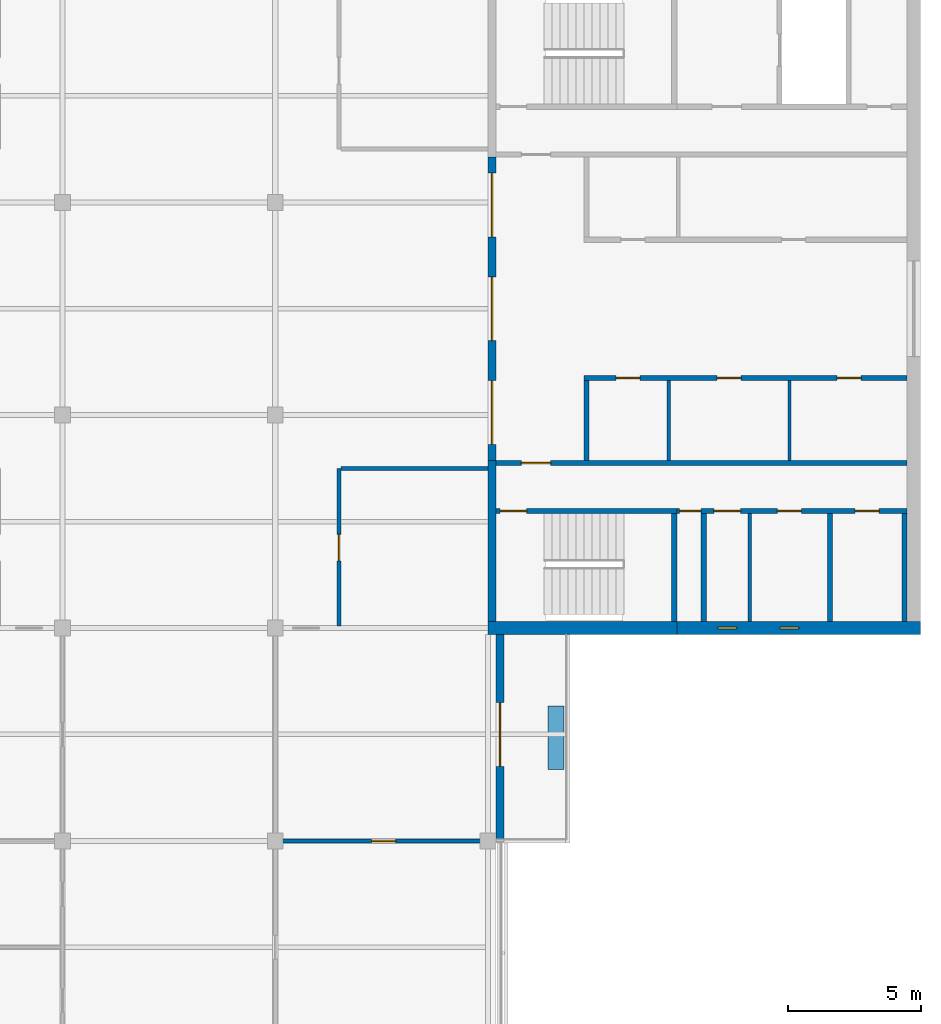
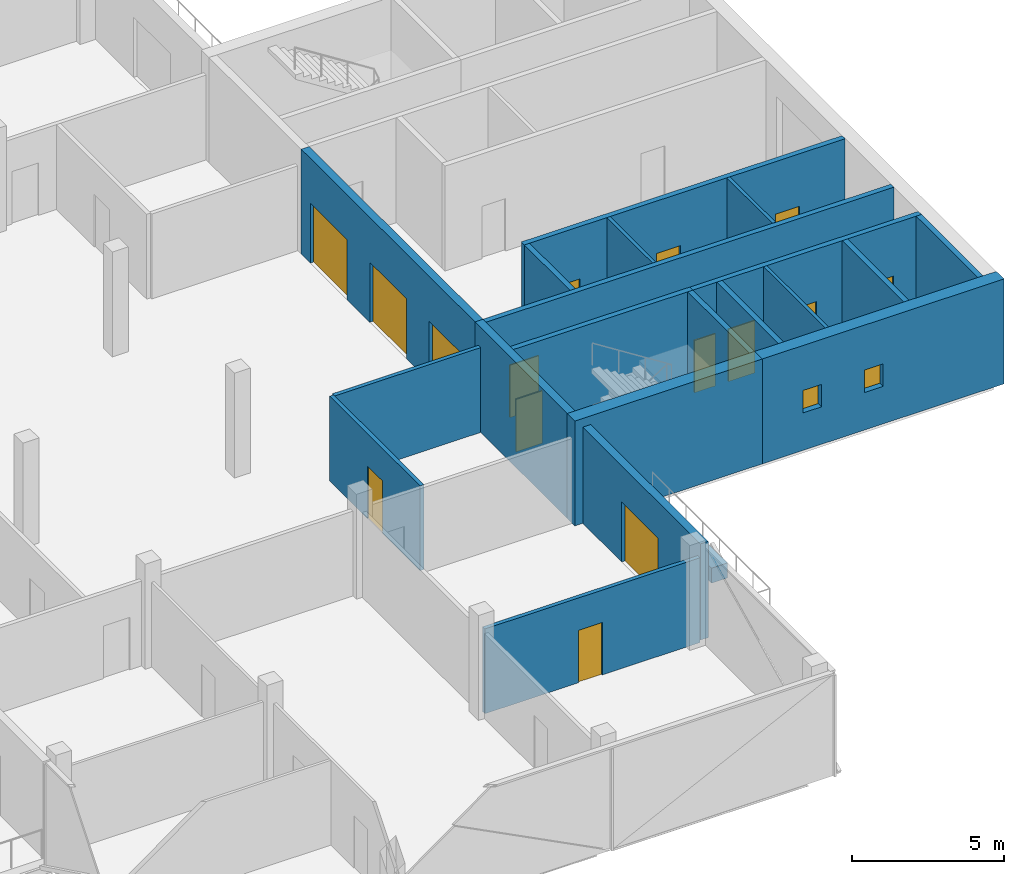
# One storey, part 6 of 11: 21 walls, 15 doors, 2 windows, 17 openings.
"""IFC4 building model written with IfcOpenShell, lengths in metres."""

from ifc_helpers import new_model, si_unit, direction, frame, frame_2d, origin, place, context, subcontext, project, spatial, rectangle, extrude, material, layer, layer_set, constituent, constituent_set, type_object, element, fill, save


model = new_model("IFC4")

# Units and contexts
model_context = context("Model", 3, precision=1e-05, world=origin(), true_north=direction((0.0, 1.0)))
body_context = subcontext(model_context, "Body", "Model", "MODEL_VIEW")
ifc_project = project(units=[si_unit("LENGTHUNIT", "METRE"), si_unit("AREAUNIT", "SQUARE_METRE"), si_unit("VOLUMEUNIT", "CUBIC_METRE"), si_unit("PLANEANGLEUNIT", "RADIAN"), si_unit("MASSUNIT", "GRAM", prefix="KILO")], contexts=[model_context])

# Site, building, storey
site_placement = place(None, origin())
site = spatial("IfcSite", under=ifc_project, at=site_placement, CompositionType="ELEMENT")
building_placement = place(site_placement, origin())
building = spatial("IfcBuilding", under=site, at=building_placement, Name="Crosswind Convention Tower", CompositionType="ELEMENT")
storey_placement = place(building_placement, frame((0.0, 0.0, 344.89990234375)))
storey = spatial("IfcBuildingStorey", under=building, at=storey_placement, Name="L75", CompositionType="ELEMENT", Elevation=344.89990234375)

# Wall
ifc_material_1 = material(Name="Concrete blockwork", Category="masonry")
ifc_layer_1 = layer(ifc_material_1, 0.199951171875)
ifc_layer_set_1 = layer_set([ifc_layer_1], Name="Blockwork partition wall 200")
wall_type_1 = type_object("IfcWallType", Name="Blockwork partition wall 200", PredefinedType="PARTITIONING", material=ifc_layer_set_1)
wall_1_placement = place(storey_placement, frame((145.10009765625, 88.25, 0.0), z_axis=(0.0, 0.0, 1.0), x_axis=(0.0, 1.0, 0.0)))
element("IfcWall", 1, at=wall_1_placement, inside=storey, type_object=wall_type_1, Name="Wall MRSE E L75", PredefinedType="PARTITIONING", context=body_context, shape_type="SweptSolid", body=[
    extrude(rectangle(XDim=4.050048828125, YDim=0.199951171875, at=frame_2d((2.02490234375, 0.0))), origin(), (0.0, 0.0, 1.0), 4.2001953125),
])

# Wall, openings, doors
ifc_material_2 = material(Name="Concrete C50/60", Category="concrete")
ifc_layer_2 = layer(ifc_material_2, 0.300048828125)
ifc_layer_set_2 = layer_set([ifc_layer_2], Name="Concrete C50/60")
wall_type_2 = type_object("IfcWallType", Name="Concrete inner core wall 300", PredefinedType="SHEAR", material=ifc_layer_set_2)
wall_2_placement = place(storey_placement, frame((137.14990234375, 94.300048828125, 0.0), z_axis=(0.0, 0.0, 1.0), x_axis=(0.0, 1.0, 0.0)))
wall_2 = element("IfcWall", 2, at=wall_2_placement, inside=storey, type_object=wall_type_2, Name="Wall SCR E L75", PredefinedType="SHEAR", context=body_context, shape_type="SweptSolid", body=[
    extrude(rectangle(XDim=11.39990234375, YDim=0.300048828125, at=frame_2d((5.699951171875, 0.0))), origin(), (0.0, 0.0, 1.0), 4.2001953125),
])
opening_1_placement = place(wall_2_placement, frame((0.60009765625, 0.0, 0.0)))
opening_1 = element("IfcOpeningElement", 3, at=opening_1_placement, cuts=wall_2, Name="Opening D100", PredefinedType="OPENING", context=body_context, shape_type="SweptSolid", body=[
    extrude(rectangle(XDim=2.39990234375, YDim=2.39990234375, at=frame_2d((1.199951171875, 1.199951171875))), frame((0.0, 0.159912109375, 0.0), z_axis=(0.0, -1.0, 0.0), x_axis=(1.0, 0.0, 0.0)), (0.0, 0.0, 1.0), 0.320068359375),
])
opening_2_placement = place(wall_2_placement, frame((4.5, 0.0, 0.0)))
opening_2 = element("IfcOpeningElement", 4, at=opening_2_placement, cuts=wall_2, Name="Opening D100", PredefinedType="OPENING", context=body_context, shape_type="SweptSolid", body=[
    extrude(rectangle(XDim=2.39990234375, YDim=2.39990234375, at=frame_2d((1.199951171875, 1.199951171875))), frame((0.0, 0.159912109375, 0.0), z_axis=(0.0, -1.0, 0.0), x_axis=(1.0, 0.0, 0.0)), (0.0, 0.0, 1.0), 0.320068359375),
])
opening_3_placement = place(wall_2_placement, frame((8.39990234375, 0.0, 0.0)))
opening_3 = element("IfcOpeningElement", 5, at=opening_3_placement, cuts=wall_2, Name="Opening D100", PredefinedType="OPENING", context=body_context, shape_type="SweptSolid", body=[
    extrude(rectangle(XDim=2.39990234375, YDim=2.39990234375, at=frame_2d((1.199951171875, 1.199951171875))), frame((0.0, 0.159912109375, 0.0), z_axis=(0.0, -1.0, 0.0), x_axis=(1.0, 0.0, 0.0)), (0.0, 0.0, 1.0), 0.320068359375),
])
ifc_material_3 = material(Name="Steel fire door with glazed vision panels", Category="steel")
door_type_1 = type_object("IfcDoorType", Name="Fire-rated double door 2400x2400", OperationType="DOUBLE_DOOR_SINGLE_SWING", PredefinedType="DOOR", material=ifc_material_3)
door_1_placement = place(opening_1_placement, origin())
door_1 = element("IfcDoor", 6, at=door_1_placement, inside=storey, type_object=door_type_1, Name="Lobby door 1 L75", ObjectType="D100", OperationType="DOUBLE_DOOR_SINGLE_SWING", OverallHeight=2.39990234375, OverallWidth=2.39990234375, PredefinedType="DOOR", context=body_context, shape_type="SweptSolid", body=[
    extrude(rectangle(XDim=2.39990234375, YDim=2.39990234375, at=frame_2d((1.199951171875, 1.199951171875))), frame((0.0, 0.02490234375, 0.0), z_axis=(0.0, -1.0, 0.0), x_axis=(1.0, 0.0, 0.0)), (0.0, 0.0, 1.0), 0.050048828125),
])
fill(opening_1, door_1)
door_2_placement = place(opening_2_placement, origin())
door_2 = element("IfcDoor", 7, at=door_2_placement, inside=storey, type_object=door_type_1, Name="Lobby door 2 L75", ObjectType="D100", OperationType="DOUBLE_DOOR_SINGLE_SWING", OverallHeight=2.39990234375, OverallWidth=2.39990234375, PredefinedType="DOOR", context=body_context, shape_type="SweptSolid", body=[
    extrude(rectangle(XDim=2.39990234375, YDim=2.39990234375, at=frame_2d((1.199951171875, 1.199951171875))), frame((0.0, 0.02490234375, 0.0), z_axis=(0.0, -1.0, 0.0), x_axis=(1.0, 0.0, 0.0)), (0.0, 0.0, 1.0), 0.050048828125),
])
fill(opening_2, door_2)
door_3_placement = place(opening_3_placement, origin())
door_3 = element("IfcDoor", 8, at=door_3_placement, inside=storey, type_object=door_type_1, Name="Lobby door 3 L75", ObjectType="D100", OperationType="DOUBLE_DOOR_SINGLE_SWING", OverallHeight=2.39990234375, OverallWidth=2.39990234375, PredefinedType="DOOR", context=body_context, shape_type="SweptSolid", body=[
    extrude(rectangle(XDim=2.39990234375, YDim=2.39990234375, at=frame_2d((1.199951171875, 1.199951171875))), frame((0.0, 0.02490234375, 0.0), z_axis=(0.0, -1.0, 0.0), x_axis=(1.0, 0.0, 0.0)), (0.0, 0.0, 1.0), 0.050048828125),
])
fill(opening_3, door_3)

# Walls
wall_3_placement = place(storey_placement, frame((137.14990234375, 88.25, 0.0), z_axis=(0.0, 0.0, 1.0), x_axis=(0.0, 1.0, 0.0)))
element("IfcWall", 9, at=wall_3_placement, inside=storey, type_object=wall_type_2, Name="Wall EM E L75", PredefinedType="SHEAR", context=body_context, shape_type="SweptSolid", body=[
    extrude(rectangle(XDim=6.050048828125, YDim=0.300048828125, at=frame_2d((3.02490234375, 0.0))), origin(), (0.0, 0.0, 1.0), 4.2001953125),
])
ifc_layer_3 = layer(ifc_material_2, 0.199951171875)
ifc_layer_set_3 = layer_set([ifc_layer_3], Name="Concrete C50/60")
wall_type_3 = type_object("IfcWallType", Name="Concrete shaft and stair wall 200", PredefinedType="SHEAR", material=ifc_layer_set_3)
wall_4_placement = place(storey_placement, frame((140.699951171875, 94.300048828125, 0.0), z_axis=(0.0, 0.0, 1.0), x_axis=(0.0, 1.0, 0.0)))
element("IfcWall", 10, at=wall_4_placement, inside=storey, type_object=wall_type_3, Name="Wall RMEND E L75", PredefinedType="SHEAR", context=body_context, shape_type="SweptSolid", body=[
    extrude(rectangle(XDim=3.0, YDim=0.199951171875, at=frame_2d((1.5, 0.0))), origin(), (0.0, 0.0, 1.0), 4.2001953125),
])

# Wall, openings, doors
wall_5_placement = place(storey_placement, frame((140.60009765625, 97.39990234375, 0.0), z_axis=(0.0, 0.0, 1.0), x_axis=(1.0, 0.0, 0.0)))
wall_5 = element("IfcWall", 11, at=wall_5_placement, inside=storey, type_object=wall_type_3, Name="Wall RMFRONT E L75", PredefinedType="SHEAR", context=body_context, shape_type="SweptSolid", body=[
    extrude(rectangle(XDim=12.14990234375, YDim=0.199951171875, at=frame_2d((6.074951171875, 0.0))), origin(), (0.0, 0.0, 1.0), 4.2001953125),
])
opening_4_placement = place(wall_5_placement, frame((1.21240234375, 0.0, 0.0)))
opening_4 = element("IfcOpeningElement", 12, at=opening_4_placement, cuts=wall_5, Name="Opening D106", PredefinedType="OPENING", context=body_context, shape_type="SweptSolid", body=[
    extrude(rectangle(XDim=0.89990234375, YDim=2.10009765625, at=frame_2d((0.449951171875, 1.050048828125))), frame((0.0, 0.10986328125, 0.0), z_axis=(0.0, -1.0, 0.0), x_axis=(1.0, 0.0, 0.0)), (0.0, 0.0, 1.0), 0.219970703125),
])
opening_5_placement = place(wall_5_placement, frame((5.008056640625, 0.0, 0.0)))
opening_5 = element("IfcOpeningElement", 13, at=opening_5_placement, cuts=wall_5, Name="Opening D106", PredefinedType="OPENING", context=body_context, shape_type="SweptSolid", body=[
    extrude(rectangle(XDim=0.89990234375, YDim=2.10009765625, at=frame_2d((0.449951171875, 1.050048828125))), frame((0.0, 0.10986328125, 0.0), z_axis=(0.0, -1.0, 0.0), x_axis=(1.0, 0.0, 0.0)), (0.0, 0.0, 1.0), 0.219970703125),
])
opening_6_placement = place(wall_5_placement, frame((9.5205078125, 0.0, 0.0)))
opening_6 = element("IfcOpeningElement", 14, at=opening_6_placement, cuts=wall_5, Name="Opening D106", PredefinedType="OPENING", context=body_context, shape_type="SweptSolid", body=[
    extrude(rectangle(XDim=0.89990234375, YDim=2.10009765625, at=frame_2d((0.449951171875, 1.050048828125))), frame((0.0, 0.10986328125, 0.0), z_axis=(0.0, -1.0, 0.0), x_axis=(1.0, 0.0, 0.0)), (0.0, 0.0, 1.0), 0.219970703125),
])
ifc_material_4 = material(Name="Timber door", Category="wood")
door_type_2 = type_object("IfcDoorType", Name="Single leaf door 900x2100", OperationType="NOTDEFINED", PredefinedType="DOOR", material=ifc_material_4)
door_4_placement = place(opening_4_placement, frame((0.89990234375, 0.0, 0.0), z_axis=(0.0, 0.0, 1.0), x_axis=(-1.0, 0.0, 0.0)))
door_4 = element("IfcDoor", 15, at=door_4_placement, inside=storey, type_object=door_type_2, Name="Door to meeting room L75", ObjectType="D106", OperationType="SINGLE_SWING_LEFT", OverallHeight=2.10009765625, OverallWidth=0.89990234375, PredefinedType="DOOR", context=body_context, shape_type="SweptSolid", body=[
    extrude(rectangle(XDim=0.89990234375, YDim=2.10009765625, at=frame_2d((0.449951171875, 1.050048828125))), frame((0.0, 0.02490234375, 0.0), z_axis=(0.0, -1.0, 0.0), x_axis=(1.0, 0.0, 0.0)), (0.0, 0.0, 1.0), 0.050048828125),
])
fill(opening_4, door_4)
door_5_placement = place(opening_5_placement, frame((0.89990234375, 0.0, 0.0), z_axis=(0.0, 0.0, 1.0), x_axis=(-1.0, 0.0, 0.0)))
door_5 = element("IfcDoor", 16, at=door_5_placement, inside=storey, type_object=door_type_2, Name="Door to cloakroom L75", ObjectType="D106", OperationType="SINGLE_SWING_LEFT", OverallHeight=2.10009765625, OverallWidth=0.89990234375, PredefinedType="DOOR", context=body_context, shape_type="SweptSolid", body=[
    extrude(rectangle(XDim=0.89990234375, YDim=2.10009765625, at=frame_2d((0.449951171875, 1.050048828125))), frame((0.0, 0.02490234375, 0.0), z_axis=(0.0, -1.0, 0.0), x_axis=(1.0, 0.0, 0.0)), (0.0, 0.0, 1.0), 0.050048828125),
])
fill(opening_5, door_5)
door_6_placement = place(opening_6_placement, frame((0.89990234375, 0.0, 0.0), z_axis=(0.0, 0.0, 1.0), x_axis=(-1.0, 0.0, 0.0)))
door_6 = element("IfcDoor", 17, at=door_6_placement, inside=storey, type_object=door_type_2, Name="Door to storeroom L75", ObjectType="D106", OperationType="SINGLE_SWING_LEFT", OverallHeight=2.10009765625, OverallWidth=0.89990234375, PredefinedType="DOOR", context=body_context, shape_type="SweptSolid", body=[
    extrude(rectangle(XDim=0.89990234375, YDim=2.10009765625, at=frame_2d((0.449951171875, 1.050048828125))), frame((0.0, 0.02490234375, 0.0), z_axis=(0.0, -1.0, 0.0), x_axis=(1.0, 0.0, 0.0)), (0.0, 0.0, 1.0), 0.050048828125),
])
fill(opening_6, door_6)

# Wall, opening, door
wall_6_placement = place(storey_placement, frame((137.300048828125, 94.199951171875, 0.0), z_axis=(0.0, 0.0, 1.0), x_axis=(1.0, 0.0, 0.0)))
wall_6 = element("IfcWall", 18, at=wall_6_placement, inside=storey, type_object=wall_type_3, Name="Wall HM E L75", PredefinedType="SHEAR", context=body_context, shape_type="SweptSolid", body=[
    extrude(rectangle(XDim=15.449951171875, YDim=0.199951171875, at=frame_2d((7.72509765625, 0.0))), origin(), (0.0, 0.0, 1.0), 4.2001953125),
])
opening_7_placement = place(wall_6_placement, frame((0.949951171875, 0.0, 0.0)))
opening_7 = element("IfcOpeningElement", 19, at=opening_7_placement, cuts=wall_6, Name="Opening D104", PredefinedType="OPENING", context=body_context, shape_type="SweptSolid", body=[
    extrude(rectangle(XDim=1.10009765625, YDim=2.10009765625, at=frame_2d((0.550048828125, 1.050048828125))), frame((0.0, 0.10986328125, 0.0), z_axis=(0.0, -1.0, 0.0), x_axis=(1.0, 0.0, 0.0)), (0.0, 0.0, 1.0), 0.219970703125),
])
ifc_material_5 = material(Name="Steel fire door", Category="steel")
door_type_3 = type_object("IfcDoorType", Name="Fire-rated single door 1100x2100", OperationType="NOTDEFINED", PredefinedType="DOOR", material=ifc_material_5)
door_7_placement = place(opening_7_placement, origin())
door_7 = element("IfcDoor", 20, at=door_7_placement, inside=storey, type_object=door_type_3, Name="Corridor door L75", ObjectType="D104", OperationType="SINGLE_SWING_LEFT", OverallHeight=2.10009765625, OverallWidth=1.10009765625, PredefinedType="DOOR", context=body_context, shape_type="SweptSolid", body=[
    extrude(rectangle(XDim=1.10009765625, YDim=2.10009765625, at=frame_2d((0.550048828125, 1.050048828125))), frame((0.0, 0.02490234375, 0.0), z_axis=(0.0, -1.0, 0.0), x_axis=(1.0, 0.0, 0.0)), (0.0, 0.0, 1.0), 0.050048828125),
])
fill(opening_7, door_7)

# Walls
for number, where, z_axis, x_axis, name in (
    (21, (144.0, 88.25, 0.0), (0.0, 0.0, 1.0), (0.0, 1.0, 0.0), "Wall MSE E L75"),
    (22, (149.85009765625, 88.25, 0.0), (0.0, 0.0, 1.0), (0.0, 1.0, 0.0), "Wall MFSW E L75"),
    (23, (152.64990234375, 88.25, 0.0), (0.0, 0.0, 1.0), (0.0, 1.0, 0.0), "Wall MFSE E L75"),
):
    element("IfcWall", number, at=place(storey_placement, frame(where, z_axis=z_axis, x_axis=x_axis)), inside=storey, type_object=wall_type_3, Name=name, PredefinedType="SHEAR", context=body_context, shape_type="SweptSolid", body=[
        extrude(rectangle(XDim=4.050048828125, YDim=0.199951171875, at=frame_2d((2.02490234375, 0.0))), origin(), (0.0, 0.0, 1.0), 4.2001953125),
    ])

# Wall, opening, door
wall_7_placement = place(storey_placement, frame((137.300048828125, 92.39990234375, 0.0), z_axis=(0.0, 0.0, 1.0), x_axis=(1.0, 0.0, 0.0)))
wall_7 = element("IfcWall", 24, at=wall_7_placement, inside=storey, type_object=wall_type_3, Name="Wall MCW E L75", PredefinedType="SHEAR", context=body_context, shape_type="SweptSolid", body=[
    extrude(rectangle(XDim=6.800048828125, YDim=0.199951171875, at=frame_2d((3.39990234375, 0.0))), origin(), (0.0, 0.0, 1.0), 4.2001953125),
])
opening_8_placement = place(wall_7_placement, frame((0.14990234375, 0.0, 0.0)))
opening_8 = element("IfcOpeningElement", 25, at=opening_8_placement, cuts=wall_7, Name="Opening D103", PredefinedType="OPENING", context=body_context, shape_type="SweptSolid", body=[
    extrude(rectangle(XDim=1.0, YDim=2.10009765625, at=frame_2d((0.5, 1.050048828125))), frame((0.0, 0.10986328125, 0.0), z_axis=(0.0, -1.0, 0.0), x_axis=(1.0, 0.0, 0.0)), (0.0, 0.0, 1.0), 0.219970703125),
])
door_type_4 = type_object("IfcDoorType", Name="Fire-rated single door 1000x2100", OperationType="NOTDEFINED", PredefinedType="DOOR", material=ifc_material_5)
door_8_placement = place(opening_8_placement, frame((1.0, 0.0, 0.0), z_axis=(0.0, 0.0, 1.0), x_axis=(-1.0, 0.0, 0.0)))
door_8 = element("IfcDoor", 26, at=door_8_placement, inside=storey, type_object=door_type_4, Name="Stair ST2 door L75", ObjectType="D103", OperationType="SINGLE_SWING_RIGHT", OverallHeight=2.10009765625, OverallWidth=1.0, PredefinedType="DOOR", context=body_context, shape_type="SweptSolid", body=[
    extrude(rectangle(XDim=1.0, YDim=2.10009765625, at=frame_2d((0.5, 1.050048828125))), frame((0.0, 0.02490234375, 0.0), z_axis=(0.0, -1.0, 0.0), x_axis=(1.0, 0.0, 0.0)), (0.0, 0.0, 1.0), 0.050048828125),
])
fill(opening_8, door_8)

# Wall, openings, doors
wall_8_placement = place(storey_placement, frame((144.10009765625, 92.39990234375, 0.0), z_axis=(0.0, 0.0, 1.0), x_axis=(1.0, 0.0, 0.0)))
wall_8 = element("IfcWall", 27, at=wall_8_placement, inside=storey, type_object=wall_type_3, Name="Wall MCX E L75", PredefinedType="SHEAR", context=body_context, shape_type="SweptSolid", body=[
    extrude(rectangle(XDim=8.64990234375, YDim=0.199951171875, at=frame_2d((4.324951171875, 0.0))), origin(), (0.0, 0.0, 1.0), 4.2001953125),
])
opening_9_placement = place(wall_8_placement, frame((0.10009765625, 0.0, 0.0)))
opening_9 = element("IfcOpeningElement", 28, at=opening_9_placement, cuts=wall_8, Name="Opening D105", PredefinedType="OPENING", context=body_context, shape_type="SweptSolid", body=[
    extrude(rectangle(XDim=0.800048828125, YDim=2.10009765625, at=frame_2d((0.39990234375, 1.050048828125))), frame((0.0, 0.10986328125, 0.0), z_axis=(0.0, -1.0, 0.0), x_axis=(1.0, 0.0, 0.0)), (0.0, 0.0, 1.0), 0.219970703125),
])
opening_10_placement = place(wall_8_placement, frame((1.3876953125, 0.0, 0.0)))
opening_10 = element("IfcOpeningElement", 29, at=opening_10_placement, cuts=wall_8, Name="Opening D103", PredefinedType="OPENING", context=body_context, shape_type="SweptSolid", body=[
    extrude(rectangle(XDim=1.0, YDim=2.10009765625, at=frame_2d((0.5, 1.050048828125))), frame((0.0, 0.10986328125, 0.0), z_axis=(0.0, -1.0, 0.0), x_axis=(1.0, 0.0, 0.0)), (0.0, 0.0, 1.0), 0.219970703125),
])
opening_11_placement = place(wall_8_placement, frame((3.775146484375, 0.0, 0.0)))
opening_11 = element("IfcOpeningElement", 30, at=opening_11_placement, cuts=wall_8, Name="Opening D106", PredefinedType="OPENING", context=body_context, shape_type="SweptSolid", body=[
    extrude(rectangle(XDim=0.89990234375, YDim=2.10009765625, at=frame_2d((0.449951171875, 1.050048828125))), frame((0.0, 0.10986328125, 0.0), z_axis=(0.0, -1.0, 0.0), x_axis=(1.0, 0.0, 0.0)), (0.0, 0.0, 1.0), 0.219970703125),
])
opening_12_placement = place(wall_8_placement, frame((6.699951171875, 0.0, 0.0)))
opening_12 = element("IfcOpeningElement", 31, at=opening_12_placement, cuts=wall_8, Name="Opening D106", PredefinedType="OPENING", context=body_context, shape_type="SweptSolid", body=[
    extrude(rectangle(XDim=0.89990234375, YDim=2.10009765625, at=frame_2d((0.449951171875, 1.050048828125))), frame((0.0, 0.10986328125, 0.0), z_axis=(0.0, -1.0, 0.0), x_axis=(1.0, 0.0, 0.0)), (0.0, 0.0, 1.0), 0.219970703125),
])
door_9_placement = place(opening_10_placement, frame((1.0, 0.0, 0.0), z_axis=(0.0, 0.0, 1.0), x_axis=(-1.0, 0.0, 0.0)))
door_9 = element("IfcDoor", 32, at=door_9_placement, inside=storey, type_object=door_type_4, Name="Door to accessible wc L75", ObjectType="D103", OperationType="SINGLE_SWING_LEFT", OverallHeight=2.10009765625, OverallWidth=1.0, PredefinedType="DOOR", context=body_context, shape_type="SweptSolid", body=[
    extrude(rectangle(XDim=1.0, YDim=2.10009765625, at=frame_2d((0.5, 1.050048828125))), frame((0.0, 0.02490234375, 0.0), z_axis=(0.0, -1.0, 0.0), x_axis=(1.0, 0.0, 0.0)), (0.0, 0.0, 1.0), 0.050048828125),
])
fill(opening_10, door_9)
door_type_5 = type_object("IfcDoorType", Name="Riser access door 800x2100", OperationType="NOTDEFINED", PredefinedType="DOOR", material=ifc_material_5)
door_10_placement = place(opening_9_placement, frame((0.800048828125, 0.0, 0.0), z_axis=(0.0, 0.0, 1.0), x_axis=(-1.0, 0.0, 0.0)))
door_10 = element("IfcDoor", 33, at=door_10_placement, inside=storey, type_object=door_type_5, Name="Riser door L75", ObjectType="D105", OperationType="SINGLE_SWING_LEFT", OverallHeight=2.10009765625, OverallWidth=0.800048828125, PredefinedType="DOOR", context=body_context, shape_type="SweptSolid", body=[
    extrude(rectangle(XDim=0.800048828125, YDim=2.10009765625, at=frame_2d((0.39990234375, 1.050048828125))), frame((0.0, 0.02490234375, 0.0), z_axis=(0.0, -1.0, 0.0), x_axis=(1.0, 0.0, 0.0)), (0.0, 0.0, 1.0), 0.050048828125),
])
fill(opening_9, door_10)
door_11_placement = place(opening_11_placement, frame((0.89990234375, 0.0, 0.0), z_axis=(0.0, 0.0, 1.0), x_axis=(-1.0, 0.0, 0.0)))
door_11 = element("IfcDoor", 34, at=door_11_placement, inside=storey, type_object=door_type_2, Name="Door to wc L75", ObjectType="D106", OperationType="SINGLE_SWING_LEFT", OverallHeight=2.10009765625, OverallWidth=0.89990234375, PredefinedType="DOOR", context=body_context, shape_type="SweptSolid", body=[
    extrude(rectangle(XDim=0.89990234375, YDim=2.10009765625, at=frame_2d((0.449951171875, 1.050048828125))), frame((0.0, 0.02490234375, 0.0), z_axis=(0.0, -1.0, 0.0), x_axis=(1.0, 0.0, 0.0)), (0.0, 0.0, 1.0), 0.050048828125),
])
fill(opening_11, door_11)
door_12_placement = place(opening_12_placement, frame((0.89990234375, 0.0, 0.0), z_axis=(0.0, 0.0, 1.0), x_axis=(-1.0, 0.0, 0.0)))
door_12 = element("IfcDoor", 35, at=door_12_placement, inside=storey, type_object=door_type_2, Name="Door to wc L75", ObjectType="D106", OperationType="SINGLE_SWING_LEFT", OverallHeight=2.10009765625, OverallWidth=0.89990234375, PredefinedType="DOOR", context=body_context, shape_type="SweptSolid", body=[
    extrude(rectangle(XDim=0.89990234375, YDim=2.10009765625, at=frame_2d((0.449951171875, 1.050048828125))), frame((0.0, 0.02490234375, 0.0), z_axis=(0.0, -1.0, 0.0), x_axis=(1.0, 0.0, 0.0)), (0.0, 0.0, 1.0), 0.050048828125),
])
fill(opening_12, door_12)

# Walls
ifc_material_6 = material(Name="Gypsum plasterboard partition", Category="gypsum")
ifc_layer_4 = layer(ifc_material_6, 0.125)
ifc_layer_set_4 = layer_set([ifc_layer_4], Name="Drywall partition wall 125")
wall_type_4 = type_object("IfcWallType", Name="Drywall partition wall 125", PredefinedType="PARTITIONING", material=ifc_layer_set_4)
for number, where, z_axis, x_axis, name in (
    (36, (143.78759765625, 94.300048828125, 0.0), (0.0, 0.0, 1.0), (0.0, 1.0, 0.0), "Wall RMP1 E L75"),
    (37, (148.32861328125, 94.300048828125, 0.0), (0.0, 0.0, 1.0), (0.0, 1.0, 0.0), "Wall RMP2 E L75"),
):
    element("IfcWall", number, at=place(storey_placement, frame(where, z_axis=z_axis, x_axis=x_axis)), inside=storey, type_object=wall_type_4, Name=name, PredefinedType="PARTITIONING", context=body_context, shape_type="SweptSolid", body=[
        extrude(rectangle(XDim=3.0, YDim=0.125, at=frame_2d((1.5, 0.0))), origin(), (0.0, 0.0, 1.0), 4.2001953125),
    ])
wall_9_placement = place(storey_placement, frame((146.837890625, 88.25, 0.0), z_axis=(0.0, 0.0, 1.0), x_axis=(0.0, 1.0, 0.0)))
element("IfcWall", 38, at=wall_9_placement, inside=storey, type_object=wall_type_4, Name="Wall MWP1 E L75", PredefinedType="PARTITIONING", context=body_context, shape_type="SweptSolid", body=[
    extrude(rectangle(XDim=4.050048828125, YDim=0.125, at=frame_2d((2.02490234375, 0.0))), origin(), (0.0, 0.0, 1.0), 4.2001953125),
])
ifc_material_7 = material(Name="Concrete C30/37", Category="concrete")
ifc_layer_5 = layer(ifc_material_7, 0.60009765625)
ifc_layer_set_5 = layer_set([ifc_layer_5], Name="Concrete C30/37")
wall_type_5 = type_object("IfcWallType", Name="PLANTER BOX WALL 600", PredefinedType="SOLIDWALL", material=ifc_layer_set_5)
wall_10_placement = place(storey_placement, frame((139.550048828125, 82.675048828125, 0.0), z_axis=(0.0, 0.0, 1.0), x_axis=(0.0, 1.0, 0.0)))
element("IfcWall", 39, at=wall_10_placement, inside=storey, type_object=wall_type_5, Name="PLANTER L75 S-E.1-2", PredefinedType="SOLIDWALL", context=body_context, shape_type="SweptSolid", body=[
    extrude(rectangle(XDim=2.39990234375, YDim=0.60009765625, at=frame_2d((1.199951171875, 0.0))), origin(), (0.0, 0.0, 1.0), 0.60009765625),
])

# Wall, opening, door
ifc_material_8 = material(Name="Fire-board partition with mineral wool", Category="gypsum")
ifc_layer_6 = layer(ifc_material_8, 0.14990234375)
ifc_layer_set_6 = layer_set([ifc_layer_6], Name="TENANCY WALL 150 TWO-HOUR BOARD")
wall_type_6 = type_object("IfcWallType", Name="TENANCY WALL 150 TWO-HOUR BOARD", PredefinedType="PARTITIONING", material=ifc_layer_set_6)
wall_11_placement = place(storey_placement, frame((131.39990234375, 88.074951171875, 0.0), z_axis=(0.0, 0.0, 1.0), x_axis=(0.0, 1.0, 0.0)))
wall_11 = element("IfcWall", 40, at=wall_11_placement, inside=storey, type_object=wall_type_6, Name="Tenancy wall WT41", PredefinedType="PARTITIONING", context=body_context, shape_type="SweptSolid", body=[
    extrude(rectangle(XDim=5.925048828125, YDim=0.14990234375, at=frame_2d((2.96240234375, 0.0))), origin(), (0.0, 0.0, 1.0), 3.396484375),
])
opening_13_placement = place(wall_11_placement, frame((2.449951171875, 0.0, 0.0)))
opening_13 = element("IfcOpeningElement", 41, at=opening_13_placement, cuts=wall_11, Name="Opening L75-62", PredefinedType="OPENING", context=body_context, shape_type="SweptSolid", body=[
    extrude(rectangle(XDim=1.0, YDim=2.10009765625, at=frame_2d((0.5, 1.050048828125))), frame((0.0, 0.0849609375, 0.0), z_axis=(0.0, -1.0, 0.0), x_axis=(1.0, 0.0, 0.0)), (0.0, 0.0, 1.0), 0.169921875),
])
ifc_material_9 = material(Name="Timber fire door", Category="wood")
door_type_6 = type_object("IfcDoorType", Name="TENANCY ENTRANCE DOOR 1000X2100 FD30S", OperationType="NOTDEFINED", PredefinedType="DOOR", material=ifc_material_9)
door_13_placement = place(opening_13_placement, frame((1.0, 0.0, 0.0), z_axis=(0.0, 0.0, 1.0), x_axis=(-1.0, 0.0, 0.0)))
door_13 = element("IfcDoor", 42, at=door_13_placement, inside=storey, type_object=door_type_6, Name="Door L75-62", ObjectType="D41", OperationType="SINGLE_SWING_LEFT", OverallHeight=2.10009765625, OverallWidth=1.0, PredefinedType="DOOR", context=body_context, shape_type="SweptSolid", body=[
    extrude(rectangle(XDim=1.0, YDim=2.10009765625, at=frame_2d((0.5, 1.050048828125))), frame((0.0, 0.02490234375, 0.0), z_axis=(0.0, -1.0, 0.0), x_axis=(1.0, 0.0, 0.0)), (0.0, 0.0, 1.0), 0.050048828125),
])
fill(opening_13, door_13)

wall_12_placement = place(storey_placement, frame((129.074951171875, 80.0, 0.0), z_axis=(0.0, 0.0, 1.0), x_axis=(1.0, 0.0, 0.0)))
wall_12 = element("IfcWall", 43, at=wall_12_placement, inside=storey, type_object=wall_type_6, Name="Tenancy wall WT41", PredefinedType="PARTITIONING", context=body_context, shape_type="SweptSolid", body=[
    extrude(rectangle(XDim=8.14501953125, YDim=0.14990234375, at=frame_2d((4.072509765625, 0.0))), origin(), (0.0, 0.0, 1.0), 3.396484375),
])
opening_14_placement = place(wall_12_placement, frame((3.550048828125, 0.0, 0.0)))
opening_14 = element("IfcOpeningElement", 44, at=opening_14_placement, cuts=wall_12, Name="Opening L75-59", PredefinedType="OPENING", context=body_context, shape_type="SweptSolid", body=[
    extrude(rectangle(XDim=0.89990234375, YDim=2.10009765625, at=frame_2d((0.449951171875, 1.050048828125))), frame((0.0, 0.0849609375, 0.0), z_axis=(0.0, -1.0, 0.0), x_axis=(1.0, 0.0, 0.0)), (0.0, 0.0, 1.0), 0.169921875),
])
door_type_7 = type_object("IfcDoorType", Name="INTERNAL DOOR 900X2100", OperationType="NOTDEFINED", PredefinedType="DOOR", material=ifc_material_4)
door_14_placement = place(opening_14_placement, frame((0.89990234375, 0.0, 0.0), z_axis=(0.0, 0.0, 1.0), x_axis=(-1.0, 0.0, 0.0)))
door_14 = element("IfcDoor", 45, at=door_14_placement, inside=storey, type_object=door_type_7, Name="Door L75-59", ObjectType="D40", OperationType="SINGLE_SWING_LEFT", OverallHeight=2.10009765625, OverallWidth=0.89990234375, PredefinedType="DOOR", context=body_context, shape_type="SweptSolid", body=[
    extrude(rectangle(XDim=0.89990234375, YDim=2.10009765625, at=frame_2d((0.449951171875, 1.050048828125))), frame((0.0, 0.02490234375, 0.0), z_axis=(0.0, -1.0, 0.0), x_axis=(1.0, 0.0, 0.0)), (0.0, 0.0, 1.0), 0.050048828125),
])
fill(opening_14, door_14)

# Wall
wall_13_placement = place(storey_placement, frame((131.47509765625, 94.0, 0.0), z_axis=(0.0, 0.0, 1.0), x_axis=(1.0, 0.0, 0.0)))
element("IfcWall", 46, at=wall_13_placement, inside=storey, type_object=wall_type_6, Name="Tenancy wall WT41", PredefinedType="PARTITIONING", context=body_context, shape_type="SweptSolid", body=[
    extrude(rectangle(XDim=5.52490234375, YDim=0.14990234375, at=frame_2d((2.762451171875, 0.0))), origin(), (0.0, 0.0, 1.0), 3.396484375),
])

# Wall, opening, door
ifc_material_10 = material(Name="Terracotta rainscreen", Category="ceramic")
ifc_layer_7 = layer(ifc_material_10, 0.02001953125)
ifc_material_11 = material(Name="Mineral wool insulation", Category="insulation")
ifc_layer_8 = layer(ifc_material_11, 0.10009765625)
ifc_layer_9 = layer(ifc_material_1, 0.179931640625)
ifc_layer_set_7 = layer_set([ifc_layer_7, ifc_layer_8, ifc_layer_9], Name="TERRACOTTA INFILL WALL 300")
wall_type_7 = type_object("IfcWallType", Name="TERRACOTTA INFILL WALL 300", PredefinedType="SOLIDWALL", material=ifc_layer_set_7)
wall_14_placement = place(storey_placement, frame((137.449951171875, 80.03759765625, 0.0), z_axis=(0.0, 0.0, 1.0), x_axis=(0.0, 1.0, 0.0)))
wall_14 = element("IfcWall", 47, at=wall_14_placement, inside=storey, type_object=wall_type_7, Name="Notch front wall L75 S-E.1-2", PredefinedType="SOLIDWALL", context=body_context, shape_type="SweptSolid", body=[
    extrude(rectangle(XDim=7.71240234375, YDim=0.300048828125, at=frame_2d((3.856201171875, 0.0))), origin(), (0.0, 0.0, 1.0), 3.85009765625),
])
opening_15_placement = place(wall_14_placement, frame((2.762451171875, 0.0, 0.0)))
opening_15 = element("IfcOpeningElement", 48, at=opening_15_placement, cuts=wall_14, Name="Opening D143", PredefinedType="OPENING", context=body_context, shape_type="SweptSolid", body=[
    extrude(rectangle(XDim=2.39990234375, YDim=2.39990234375, at=frame_2d((1.199951171875, 1.199951171875))), frame((0.0, 0.159912109375, 0.0), z_axis=(0.0, -1.0, 0.0), x_axis=(1.0, 0.0, 0.0)), (0.0, 0.0, 1.0), 0.320068359375),
])
ifc_material_12 = material(Name="Aluminium glazed door", Category="aluminium")
door_type_8 = type_object("IfcDoorType", Name="WINTER GARDEN SLIDING DOOR 2400X2400", OperationType="SLIDING_TO_LEFT", PredefinedType="DOOR", material=ifc_material_12)
door_15_placement = place(opening_15_placement, frame((2.39990234375, 0.0, 0.0), z_axis=(0.0, 0.0, 1.0), x_axis=(-1.0, 0.0, 0.0)))
door_15 = element("IfcDoor", 49, at=door_15_placement, inside=storey, type_object=door_type_8, Name="D143 winter garden door L75 S-E.1-2", ObjectType="D143", OperationType="SLIDING_TO_LEFT", OverallHeight=2.39990234375, OverallWidth=2.39990234375, PredefinedType="DOOR", context=body_context, shape_type="SweptSolid", body=[
    extrude(rectangle(XDim=2.39990234375, YDim=2.39990234375, at=frame_2d((1.199951171875, 1.199951171875))), frame((0.0, 0.02490234375, 0.0), z_axis=(0.0, -1.0, 0.0), x_axis=(1.0, 0.0, 0.0)), (0.0, 0.0, 1.0), 0.050048828125),
])
fill(opening_15, door_15)

# Wall
ifc_material_13 = material(Name="Concrete C60/75", Category="concrete")
ifc_constituent_1 = constituent(ifc_material_13, Name="Structure")
ifc_constituent_2 = constituent(ifc_material_10, Name="Facing")
ifc_constituent_set = constituent_set(constituents=[ifc_constituent_1, ifc_constituent_2], Name="Concrete C60/75, Terracotta rainscreen")
wall_type_8 = type_object("IfcWallType", Name="Terracotta rainscreen on concrete core wall 500", PredefinedType="SHEAR", material=ifc_constituent_set)
wall_15_placement = place(storey_placement, frame((137.0, 88.0, 0.0), z_axis=(0.0, 0.0, 1.0), x_axis=(1.0, 0.0, 0.0)))
element("IfcWall", 50, at=wall_15_placement, inside=storey, type_object=wall_type_8, Name="Wall S1 E L75", PredefinedType="SHEAR", context=body_context, shape_type="SweptSolid", body=[
    extrude(rectangle(XDim=7.10009765625, YDim=0.5, at=frame_2d((3.550048828125, 0.0))), origin(), (0.0, 0.0, 1.0), 4.2001953125),
])

# Wall, openings, windows
wall_16_placement = place(storey_placement, frame((144.10009765625, 88.0, 0.0), z_axis=(0.0, 0.0, 1.0), x_axis=(1.0, 0.0, 0.0)))
wall_16 = element("IfcWall", 51, at=wall_16_placement, inside=storey, type_object=wall_type_8, Name="Wall S2 E L75", PredefinedType="SHEAR", context=body_context, shape_type="SweptSolid", body=[
    extrude(rectangle(XDim=9.14990234375, YDim=0.5, at=frame_2d((4.574951171875, 0.0))), origin(), (0.0, 0.0, 1.0), 4.2001953125),
])
opening_16_placement = place(wall_16_placement, frame((1.537841796875, 0.0, 1.5)))
opening_16 = element("IfcOpeningElement", 52, at=opening_16_placement, cuts=wall_16, Name="Opening W2", PredefinedType="OPENING", context=body_context, shape_type="SweptSolid", body=[
    extrude(rectangle(XDim=0.699951171875, YDim=0.89990234375, at=frame_2d((0.35009765625, 0.449951171875))), frame((0.0, 0.260009765625, 0.0), z_axis=(0.0, -1.0, 0.0), x_axis=(1.0, 0.0, 0.0)), (0.0, 0.0, 1.0), 0.52001953125),
])
opening_17_placement = place(wall_16_placement, frame((3.875244140625, 0.0, 1.5)))
opening_17 = element("IfcOpeningElement", 53, at=opening_17_placement, cuts=wall_16, Name="Opening W2", PredefinedType="OPENING", context=body_context, shape_type="SweptSolid", body=[
    extrude(rectangle(XDim=0.699951171875, YDim=0.89990234375, at=frame_2d((0.35009765625, 0.449951171875))), frame((0.0, 0.260009765625, 0.0), z_axis=(0.0, -1.0, 0.0), x_axis=(1.0, 0.0, 0.0)), (0.0, 0.0, 1.0), 0.52001953125),
])
ifc_material_14 = material(Name="Obscure glass in aluminium frame", Category="aluminium")
window_type = type_object("IfcWindowType", Name="WC window 700x900", PartitioningType="SINGLE_PANEL", PredefinedType="WINDOW", material=ifc_material_14)
window_1_placement = place(opening_16_placement, origin())
window_1 = element("IfcWindow", 54, at=window_1_placement, inside=storey, type_object=window_type, Name="WC window L75", ObjectType="W2", OverallHeight=0.89990234375, OverallWidth=0.699951171875, PartitioningType="SINGLE_PANEL", PredefinedType="WINDOW", context=body_context, shape_type="SweptSolid", body=[
    extrude(rectangle(XDim=0.699951171875, YDim=0.89990234375, at=frame_2d((0.35009765625, 0.449951171875))), frame((0.0, 0.030029296875, 0.0), z_axis=(0.0, -1.0, 0.0), x_axis=(1.0, 0.0, 0.0)), (0.0, 0.0, 1.0), 0.06005859375),
])
fill(opening_16, window_1)
window_2_placement = place(opening_17_placement, origin())
window_2 = element("IfcWindow", 55, at=window_2_placement, inside=storey, type_object=window_type, Name="WC window L75", ObjectType="W2", OverallHeight=0.89990234375, OverallWidth=0.699951171875, PartitioningType="SINGLE_PANEL", PredefinedType="WINDOW", context=body_context, shape_type="SweptSolid", body=[
    extrude(rectangle(XDim=0.699951171875, YDim=0.89990234375, at=frame_2d((0.35009765625, 0.449951171875))), frame((0.0, 0.030029296875, 0.0), z_axis=(0.0, -1.0, 0.0), x_axis=(1.0, 0.0, 0.0)), (0.0, 0.0, 1.0), 0.06005859375),
])
fill(opening_17, window_2)

save(model, "model.ifc")
